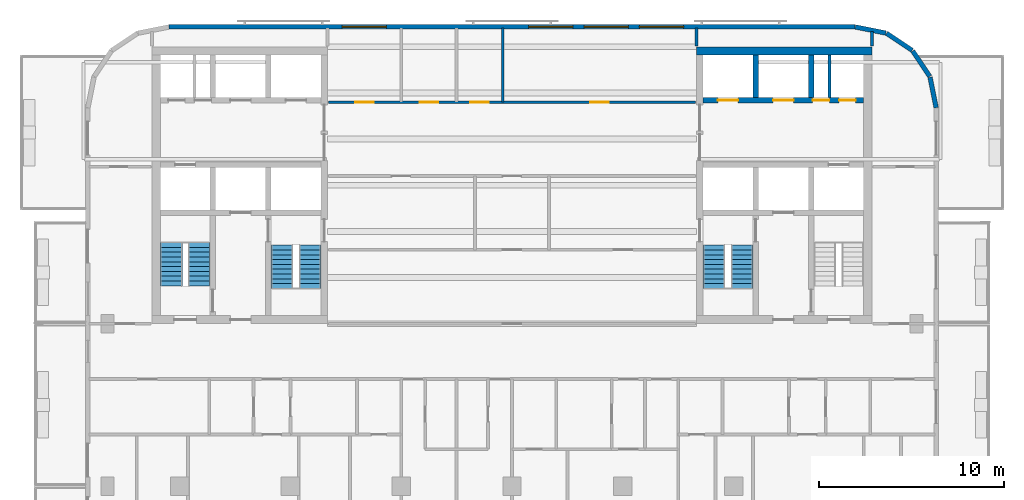
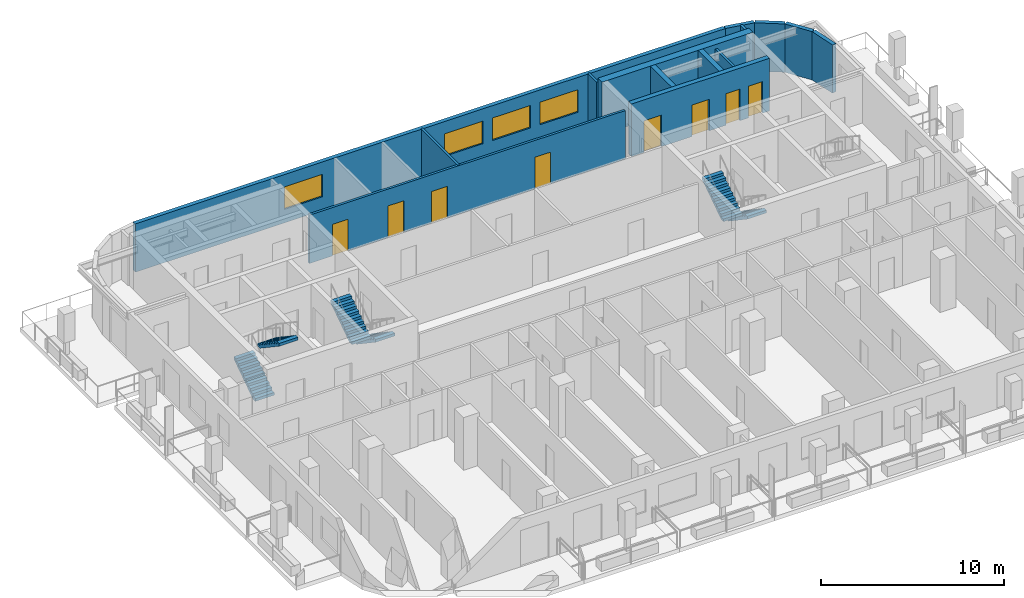
# One storey, part 7 of 11: 14 walls, 8 doors, 6 stair flights, 4 windows, 12 openings, 3 elements without a shape of their own.
"""IFC4 building model written with IfcOpenShell, lengths in metres."""

from ifc_helpers import new_model, si_unit, direction, frame, frame_2d, origin, place, context, subcontext, project, spatial, polyline, rectangle, outline, extrude, material, layer, layer_set, type_object, element, fill, aggregate, save


model = new_model("IFC4")

# Units and contexts
model_context = context("Model", 3, precision=1e-05, world=origin(), true_north=direction((0.0, 1.0)))
body_context = subcontext(model_context, "Body", "Model", "MODEL_VIEW")
ifc_project = project(units=[si_unit("LENGTHUNIT", "METRE"), si_unit("AREAUNIT", "SQUARE_METRE"), si_unit("VOLUMEUNIT", "CUBIC_METRE"), si_unit("PLANEANGLEUNIT", "RADIAN"), si_unit("MASSUNIT", "GRAM", prefix="KILO")], contexts=[model_context])

# Site, building, storey
site_placement = place(None, origin())
site = spatial("IfcSite", under=ifc_project, at=site_placement, CompositionType="ELEMENT")
building_placement = place(site_placement, origin())
building = spatial("IfcBuilding", under=site, at=building_placement, Name="Torana Hotel and Residences", CompositionType="ELEMENT")
storey_placement = place(building_placement, frame((0.0, 0.0, 294.60009765625)))
storey = spatial("IfcBuildingStorey", under=building, at=storey_placement, Name="L78", CompositionType="ELEMENT", Elevation=294.60009765625)

# Wall, openings, doors
ifc_material_1 = material(Name="Concrete C60/75", Category="concrete")
ifc_layer_1 = layer(ifc_material_1, 0.300048828125)
ifc_layer_set_1 = layer_set([ifc_layer_1], Name="CORE WALL 300 C60/75")
wall_type_1 = type_object("IfcWallType", Name="CORE WALL 300 C60/75", PredefinedType="SHEAR", material=ifc_layer_set_1)
wall_1_placement = place(storey_placement, frame((10.35009765625, -2.89990234375, 0.0), z_axis=(0.0, 0.0, 1.0), x_axis=(1.0, 0.0, 0.0)))
wall_1 = element("IfcWall", 1, at=wall_1_placement, inside=storey, type_object=wall_type_1, Name="Core wall E row-N", PredefinedType="SHEAR", context=body_context, shape_type="SweptSolid", body=[
    extrude(rectangle(XDim=8.699951171875, YDim=0.300048828125, at=frame_2d((4.35009765625, 0.0))), origin(), (0.0, 0.0, 1.0), 3.5),
])
opening_1_placement = place(wall_1_placement, frame((0.800048828125, 0.0, 0.0)))
opening_1 = element("IfcOpeningElement", 2, at=opening_1_placement, cuts=wall_1, Name="Opening LD", PredefinedType="OPENING", context=body_context, shape_type="SweptSolid", body=[
    extrude(rectangle(XDim=1.10009765625, YDim=2.10009765625, at=frame_2d((0.550048828125, 1.050048828125))), frame((0.0, 0.159912109375, 0.0), z_axis=(0.0, -1.0, 0.0), x_axis=(1.0, 0.0, 0.0)), (0.0, 0.0, 1.0), 0.320068359375),
])
opening_2_placement = place(wall_1_placement, frame((3.800048828125, 0.0, 0.0)))
opening_2 = element("IfcOpeningElement", 3, at=opening_2_placement, cuts=wall_1, Name="Opening LD", PredefinedType="OPENING", context=body_context, shape_type="SweptSolid", body=[
    extrude(rectangle(XDim=1.10009765625, YDim=2.10009765625, at=frame_2d((0.550048828125, 1.050048828125))), frame((0.0, 0.159912109375, 0.0), z_axis=(0.0, -1.0, 0.0), x_axis=(1.0, 0.0, 0.0)), (0.0, 0.0, 1.0), 0.320068359375),
])
opening_3_placement = place(wall_1_placement, frame((5.9375, 0.0, 0.0)))
opening_3 = element("IfcOpeningElement", 4, at=opening_3_placement, cuts=wall_1, Name="Opening L78-15", PredefinedType="OPENING", context=body_context, shape_type="SweptSolid", body=[
    extrude(rectangle(XDim=0.89990234375, YDim=2.10009765625, at=frame_2d((0.449951171875, 1.050048828125))), frame((0.0, 0.159912109375, 0.0), z_axis=(0.0, -1.0, 0.0), x_axis=(1.0, 0.0, 0.0)), (0.0, 0.0, 1.0), 0.320068359375),
])
opening_4_placement = place(wall_1_placement, frame((7.362548828125, 0.0, 0.0)))
opening_4 = element("IfcOpeningElement", 5, at=opening_4_placement, cuts=wall_1, Name="Opening L78-16", PredefinedType="OPENING", context=body_context, shape_type="SweptSolid", body=[
    extrude(rectangle(XDim=0.89990234375, YDim=2.10009765625, at=frame_2d((0.449951171875, 1.050048828125))), frame((0.0, 0.159912109375, 0.0), z_axis=(0.0, -1.0, 0.0), x_axis=(1.0, 0.0, 0.0)), (0.0, 0.0, 1.0), 0.320068359375),
])
ifc_material_2 = material(Name="Stainless steel 316", Category="steel")
door_type_1 = type_object("IfcDoorType", Name="LIFT LANDING DOOR LD 1100x2100", OperationType="DOUBLE_DOOR_SLIDING", PredefinedType="USERDEFINED", material=ifc_material_2)
door_1_placement = place(opening_1_placement, origin())
door_1 = element("IfcDoor", 6, at=door_1_placement, inside=storey, type_object=door_type_1, Name="Lift landing door H3 L78", ObjectType="LIFT LANDING DOOR", OperationType="DOUBLE_DOOR_SLIDING", OverallHeight=2.10009765625, OverallWidth=1.10009765625, PredefinedType="USERDEFINED", context=body_context, shape_type="SweptSolid", body=[
    extrude(rectangle(XDim=1.10009765625, YDim=2.10009765625, at=frame_2d((0.550048828125, 1.050048828125))), frame((0.0, 0.02490234375, 0.0), z_axis=(0.0, -1.0, 0.0), x_axis=(1.0, 0.0, 0.0)), (0.0, 0.0, 1.0), 0.050048828125),
])
fill(opening_1, door_1)
door_2_placement = place(opening_2_placement, origin())
door_2 = element("IfcDoor", 7, at=door_2_placement, inside=storey, type_object=door_type_1, Name="Lift landing door H4 L78", ObjectType="LIFT LANDING DOOR", OperationType="DOUBLE_DOOR_SLIDING", OverallHeight=2.10009765625, OverallWidth=1.10009765625, PredefinedType="USERDEFINED", context=body_context, shape_type="SweptSolid", body=[
    extrude(rectangle(XDim=1.10009765625, YDim=2.10009765625, at=frame_2d((0.550048828125, 1.050048828125))), frame((0.0, 0.02490234375, 0.0), z_axis=(0.0, -1.0, 0.0), x_axis=(1.0, 0.0, 0.0)), (0.0, 0.0, 1.0), 0.050048828125),
])
fill(opening_2, door_2)
ifc_material_3 = material(Name="Steel S235", Category="steel")
door_type_2 = type_object("IfcDoorType", Name="RISER ACCESS DOOR D5 900x2100", OperationType="SINGLE_SWING_LEFT", PredefinedType="DOOR", material=ifc_material_3)
door_3_placement = place(opening_3_placement, origin())
door_3 = element("IfcDoor", 8, at=door_3_placement, inside=storey, type_object=door_type_2, Name="N2A door L78", OperationType="SINGLE_SWING_RIGHT", OverallHeight=2.10009765625, OverallWidth=0.89990234375, PredefinedType="DOOR", context=body_context, shape_type="SweptSolid", body=[
    extrude(rectangle(XDim=0.89990234375, YDim=2.10009765625, at=frame_2d((0.449951171875, 1.050048828125))), frame((0.0, 0.02490234375, 0.0), z_axis=(0.0, -1.0, 0.0), x_axis=(1.0, 0.0, 0.0)), (0.0, 0.0, 1.0), 0.050048828125),
])
fill(opening_3, door_3)
door_4_placement = place(opening_4_placement, origin())
door_4 = element("IfcDoor", 9, at=door_4_placement, inside=storey, type_object=door_type_2, Name="N2B door L78", OperationType="SINGLE_SWING_RIGHT", OverallHeight=2.10009765625, OverallWidth=0.89990234375, PredefinedType="DOOR", context=body_context, shape_type="SweptSolid", body=[
    extrude(rectangle(XDim=0.89990234375, YDim=2.10009765625, at=frame_2d((0.449951171875, 1.050048828125))), frame((0.0, 0.02490234375, 0.0), z_axis=(0.0, -1.0, 0.0), x_axis=(1.0, 0.0, 0.0)), (0.0, 0.0, 1.0), 0.050048828125),
])
fill(opening_4, door_4)

# Walls
for number, where, z_axis, x_axis, name in (
    (10, (13.199951171875, -2.75, 0.0), (0.0, 0.0, 1.0), (0.0, 1.0, 0.0), "Core wall E x3.05-N"),
    (11, (16.199951171875, -2.75, 0.0), (0.0, 0.0, 1.0), (0.0, 1.0, 0.0), "Core wall E x6.05-N"),
):
    element("IfcWall", number, at=place(storey_placement, frame(where, z_axis=z_axis, x_axis=x_axis)), inside=storey, type_object=wall_type_1, Name=name, PredefinedType="SHEAR", context=body_context, shape_type="SweptSolid", body=[
        extrude(rectangle(XDim=2.300048828125, YDim=0.300048828125, at=frame_2d((1.14990234375, 0.0))), origin(), (0.0, 0.0, 1.0), 3.5),
    ])
ifc_material_4 = material(Name="Concrete C60/75", Category="concrete")
ifc_layer_2 = layer(ifc_material_4, 0.449951171875)
ifc_layer_set_2 = layer_set([ifc_layer_2], Name="CORE WALL 450 C60/75")
wall_type_2 = type_object("IfcWallType", Name="CORE WALL 450 C60/75", PredefinedType="SHEAR", material=ifc_layer_set_2)
wall_2_placement = place(storey_placement, frame((10.0, -0.22509765625, 0.0), z_axis=(0.0, 0.0, 1.0), x_axis=(1.0, 0.0, 0.0)))
element("IfcWall", 12, at=wall_2_placement, inside=storey, type_object=wall_type_2, Name="Core wall E rear", PredefinedType="SHEAR", context=body_context, shape_type="SweptSolid", body=[
    extrude(rectangle(XDim=9.5, YDim=0.449951171875, at=frame_2d((4.75, 0.0))), origin(), (0.0, 0.0, 1.0), 3.5),
])
ifc_material_5 = material(Name="Black aluminium composite panel", Category="aluminium")
ifc_layer_3 = layer(ifc_material_5, 0.00390625, Name="Cladding", Category="cladding")
ifc_material_6 = material(Name="Ventilated air cavity")
ifc_layer_4 = layer(ifc_material_6, 0.0400390625, Name="Ventilated cavity", Category="cavity")
ifc_material_7 = material(Name="Mineral wool insulation")
ifc_layer_5 = layer(ifc_material_7, 0.090087890625, Name="Insulation", Category="insulation")
ifc_material_8 = material(Name="Steel S280GD", Category="steel")
ifc_layer_6 = layer(ifc_material_8, 0.092041015625, Name="Steel stud frame", Category="structure")
ifc_material_9 = material(Name="Fire rated plasterboard")
ifc_layer_7 = layer(ifc_material_9, 0.011962890625, Name="Inner board", Category="finish")
ifc_layer_8 = layer(ifc_material_9, 0.011962890625, Name="Second board", Category="finish")
ifc_layer_set_3 = layer_set([ifc_layer_3, ifc_layer_4, ifc_layer_5, ifc_layer_6, ifc_layer_7, ifc_layer_8], Name="EW1 EXTERNAL WALL BLACK METAL CLAD 250")
wall_type_3 = type_object("IfcWallType", Name="EW1 EXTERNAL WALL BLACK METAL CLAD 250", PredefinedType="SOLIDWALL", material=ifc_layer_set_3)
wall_3_placement = place(storey_placement, frame((22.97265625, -3.30029296875, 0.0), z_axis=(0.0, 0.0, 1.0), x_axis=(-0.19513878023, 0.980775640221, 0.0)))
element("IfcWall", 13, at=wall_3_placement, inside=storey, type_object=wall_type_3, Name="External wall L78 e0.0", PredefinedType="SOLIDWALL", context=body_context, shape_type="SweptSolid", body=[
    extrude(rectangle(XDim=1.681396484375, YDim=0.25, at=frame_2d((0.8408203125, 0.0))), origin(), (0.0, 0.0, 1.0), 3.219970703125),
])
for number, where, z_axis, x_axis, name in (
    (14, (22.6259765625, -1.60595703125, 0.0), (0.0, 0.0, 1.0), (-0.55555029066, 0.831482937015, 0.0), "External wall L78 e0.1"),
    (15, (21.671142578125, -0.1943359375, 0.0), (0.0, 0.0, 1.0), (-0.831482937015, 0.55555029066, 0.0), "External wall L78 e0.2"),
):
    element("IfcWall", number, at=place(storey_placement, frame(where, z_axis=z_axis, x_axis=x_axis)), inside=storey, type_object=wall_type_3, Name=name, PredefinedType="SOLIDWALL", context=body_context, shape_type="SweptSolid", body=[
        extrude(rectangle(XDim=1.65625, YDim=0.25, at=frame_2d((0.828125, 0.0))), origin(), (0.0, 0.0, 1.0), 3.219970703125),
    ])
wall_4_placement = place(storey_placement, frame((20.248779296875, 0.74462890625, 0.0), z_axis=(0.0, 0.0, 1.0), x_axis=(-0.980797896849, 0.195026884138, 0.0)))
element("IfcWall", 16, at=wall_4_placement, inside=storey, type_object=wall_type_3, Name="External wall L78 e0.3", PredefinedType="SOLIDWALL", context=body_context, shape_type="SweptSolid", body=[
    extrude(rectangle(XDim=1.68115234375, YDim=0.25, at=frame_2d((0.840576171875, 0.0))), origin(), (0.0, 0.0, 1.0), 3.219970703125),
])

# Wall, openings, windows
ifc_material_10 = material(Name="Concrete C40/50 precast", Category="concrete")
ifc_layer_9 = layer(ifc_material_10, 0.10009765625, Name="Perforated block", Category="cladding")
ifc_material_11 = material(Name="Air cavity")
ifc_layer_10 = layer(ifc_material_11, 0.030029296875, Name="Cavity", Category="cavity")
ifc_material_12 = material(Name="Concrete C40/50", Category="concrete")
ifc_layer_11 = layer(ifc_material_12, 0.10009765625, Name="Wall", Category="structure")
ifc_material_13 = material(Name="Plaster and paint")
ifc_layer_12 = layer(ifc_material_13, 0.02001953125, Name="Inner finish", Category="finish")
ifc_layer_set_4 = layer_set([ifc_layer_9, ifc_layer_10, ifc_layer_11, ifc_layer_12], Name="EW2 PERFORATED BLOCK SCREEN WALL 250")
wall_type_4 = type_object("IfcWallType", Name="EW2 PERFORATED BLOCK SCREEN WALL 250", PredefinedType="SOLIDWALL", material=ifc_layer_set_4)
wall_5_placement = place(storey_placement, frame((18.575439453125, 1.074951171875, 0.0), z_axis=(0.0, 0.0, 1.0), x_axis=(-1.0, 0.0, 0.0)))
wall_5 = element("IfcWall", 17, at=wall_5_placement, inside=storey, type_object=wall_type_4, Name="External wall L78 e0.4", PredefinedType="SOLIDWALL", context=body_context, shape_type="SweptSolid", body=[
    extrude(rectangle(XDim=37.15087890625, YDim=0.25, at=frame_2d((18.575439453125, 0.0))), origin(), (0.0, 0.0, 1.0), 3.219970703125),
])
opening_5_placement = place(wall_5_placement, frame((9.275390625, 0.0, 0.89990234375)))
opening_5 = element("IfcOpeningElement", 18, at=opening_5_placement, cuts=wall_5, Name="Opening W3", PredefinedType="OPENING", context=body_context, shape_type="SweptSolid", body=[
    extrude(rectangle(XDim=2.39990234375, YDim=1.5, at=frame_2d((1.199951171875, 0.75))), frame((0.0, 0.135009765625, 0.0), z_axis=(0.0, -1.0, 0.0), x_axis=(1.0, 0.0, 0.0)), (0.0, 0.0, 1.0), 0.27001953125),
])
opening_6_placement = place(wall_5_placement, frame((12.275390625, 0.0, 0.89990234375)))
opening_6 = element("IfcOpeningElement", 19, at=opening_6_placement, cuts=wall_5, Name="Opening W3", PredefinedType="OPENING", context=body_context, shape_type="SweptSolid", body=[
    extrude(rectangle(XDim=2.39990234375, YDim=1.5, at=frame_2d((1.199951171875, 0.75))), frame((0.0, 0.135009765625, 0.0), z_axis=(0.0, -1.0, 0.0), x_axis=(1.0, 0.0, 0.0)), (0.0, 0.0, 1.0), 0.27001953125),
])
opening_7_placement = place(wall_5_placement, frame((15.275390625, 0.0, 0.89990234375)))
opening_7 = element("IfcOpeningElement", 20, at=opening_7_placement, cuts=wall_5, Name="Opening W3", PredefinedType="OPENING", context=body_context, shape_type="SweptSolid", body=[
    extrude(rectangle(XDim=2.39990234375, YDim=1.5, at=frame_2d((1.199951171875, 0.75))), frame((0.0, 0.135009765625, 0.0), z_axis=(0.0, -1.0, 0.0), x_axis=(1.0, 0.0, 0.0)), (0.0, 0.0, 1.0), 0.27001953125),
])
opening_8_placement = place(wall_5_placement, frame((25.37548828125, 0.0, 0.89990234375)))
opening_8 = element("IfcOpeningElement", 21, at=opening_8_placement, cuts=wall_5, Name="Opening W3", PredefinedType="OPENING", context=body_context, shape_type="SweptSolid", body=[
    extrude(rectangle(XDim=2.39990234375, YDim=1.5, at=frame_2d((1.199951171875, 0.75))), frame((0.0, 0.135009765625, 0.0), z_axis=(0.0, -1.0, 0.0), x_axis=(1.0, 0.0, 0.0)), (0.0, 0.0, 1.0), 0.27001953125),
])
ifc_material_14 = material(Name="Dark glass in black aluminium frame", Category="aluminium")
window_type = type_object("IfcWindowType", Name="W3 RESIDENCE WINDOW 2400x1500", PartitioningType="SINGLE_PANEL", PredefinedType="WINDOW", material=ifc_material_14)
window_1_placement = place(opening_5_placement, origin())
window_1 = element("IfcWindow", 22, at=window_1_placement, inside=storey, type_object=window_type, Name="Window L78", OverallHeight=1.5, OverallWidth=2.39990234375, PartitioningType="SINGLE_PANEL", PredefinedType="WINDOW", context=body_context, shape_type="SweptSolid", body=[
    extrude(rectangle(XDim=2.39990234375, YDim=1.5, at=frame_2d((1.199951171875, 0.75))), frame((0.0, 0.030029296875, 0.0), z_axis=(0.0, -1.0, 0.0), x_axis=(1.0, 0.0, 0.0)), (0.0, 0.0, 1.0), 0.06005859375),
])
fill(opening_5, window_1)
window_2_placement = place(opening_6_placement, origin())
window_2 = element("IfcWindow", 23, at=window_2_placement, inside=storey, type_object=window_type, Name="Window L78", OverallHeight=1.5, OverallWidth=2.39990234375, PartitioningType="SINGLE_PANEL", PredefinedType="WINDOW", context=body_context, shape_type="SweptSolid", body=[
    extrude(rectangle(XDim=2.39990234375, YDim=1.5, at=frame_2d((1.199951171875, 0.75))), frame((0.0, 0.030029296875, 0.0), z_axis=(0.0, -1.0, 0.0), x_axis=(1.0, 0.0, 0.0)), (0.0, 0.0, 1.0), 0.06005859375),
])
fill(opening_6, window_2)
window_3_placement = place(opening_7_placement, origin())
window_3 = element("IfcWindow", 24, at=window_3_placement, inside=storey, type_object=window_type, Name="Window L78", OverallHeight=1.5, OverallWidth=2.39990234375, PartitioningType="SINGLE_PANEL", PredefinedType="WINDOW", context=body_context, shape_type="SweptSolid", body=[
    extrude(rectangle(XDim=2.39990234375, YDim=1.5, at=frame_2d((1.199951171875, 0.75))), frame((0.0, 0.030029296875, 0.0), z_axis=(0.0, -1.0, 0.0), x_axis=(1.0, 0.0, 0.0)), (0.0, 0.0, 1.0), 0.06005859375),
])
fill(opening_7, window_3)
window_4_placement = place(opening_8_placement, origin())
window_4 = element("IfcWindow", 25, at=window_4_placement, inside=storey, type_object=window_type, Name="Window L78", OverallHeight=1.5, OverallWidth=2.39990234375, PartitioningType="SINGLE_PANEL", PredefinedType="WINDOW", context=body_context, shape_type="SweptSolid", body=[
    extrude(rectangle(XDim=2.39990234375, YDim=1.5, at=frame_2d((1.199951171875, 0.75))), frame((0.0, 0.030029296875, 0.0), z_axis=(0.0, -1.0, 0.0), x_axis=(1.0, 0.0, 0.0)), (0.0, 0.0, 1.0), 0.06005859375),
])
fill(opening_8, window_4)

# Wall
ifc_material_15 = material(Name="Gypsum plaster")
ifc_layer_13 = layer(ifc_material_15, 0.014892578125, Name="Plaster", Category="finish")
ifc_material_16 = material(Name="Concrete blockwork", Category="masonry")
ifc_layer_14 = layer(ifc_material_16, 0.1201171875, Name="Blockwork", Category="structure")
ifc_layer_15 = layer(ifc_material_15, 0.014892578125, Name="Plaster", Category="finish")
ifc_layer_set_5 = layer_set([ifc_layer_13, ifc_layer_14, ifc_layer_15], Name="FIRE PARTITION 150 BLOCKWORK")
wall_type_5 = type_object("IfcWallType", Name="FIRE PARTITION 150 BLOCKWORK", PredefinedType="PARTITIONING", material=ifc_layer_set_5)
wall_6_placement = place(storey_placement, frame((17.199951171875, -2.75, 0.0), z_axis=(0.0, 0.0, 1.0), x_axis=(0.0, 1.0, 0.0)))
element("IfcWall", 26, at=wall_6_placement, inside=storey, type_object=wall_type_5, Name="Core partition L78", PredefinedType="PARTITIONING", context=body_context, shape_type="SweptSolid", body=[
    extrude(rectangle(XDim=2.300048828125, YDim=0.14990234375, at=frame_2d((1.14990234375, 0.0))), origin(), (0.0, 0.0, 1.0), 3.199951171875),
])

# Wall, openings, doors
wall_7_placement = place(storey_placement, frame((-9.949951171875, -3.0, 0.0), z_axis=(0.0, 0.0, 1.0), x_axis=(1.0, 0.0, 0.0)))
wall_7 = element("IfcWall", 27, at=wall_7_placement, inside=storey, type_object=wall_type_5, Name="Partition L78", PredefinedType="PARTITIONING", context=body_context, shape_type="SweptSolid", body=[
    extrude(rectangle(XDim=19.89990234375, YDim=0.14990234375, at=frame_2d((9.949951171875, 0.0))), origin(), (0.0, 0.0, 1.0), 3.219970703125),
])
opening_9_placement = place(wall_7_placement, frame((1.449951171875, 0.0, 0.0)))
opening_9 = element("IfcOpeningElement", 28, at=opening_9_placement, cuts=wall_7, Name="Opening L78-34", PredefinedType="OPENING", context=body_context, shape_type="SweptSolid", body=[
    extrude(rectangle(XDim=1.0, YDim=2.10009765625, at=frame_2d((0.5, 1.050048828125))), frame((0.0, 0.0849609375, 0.0), z_axis=(0.0, -1.0, 0.0), x_axis=(1.0, 0.0, 0.0)), (0.0, 0.0, 1.0), 0.169921875),
])
opening_10_placement = place(wall_7_placement, frame((4.949951171875, 0.0, 0.0)))
opening_10 = element("IfcOpeningElement", 29, at=opening_10_placement, cuts=wall_7, Name="Opening L78-35", PredefinedType="OPENING", context=body_context, shape_type="SweptSolid", body=[
    extrude(rectangle(XDim=1.0, YDim=2.10009765625, at=frame_2d((0.5, 1.050048828125))), frame((0.0, 0.0849609375, 0.0), z_axis=(0.0, -1.0, 0.0), x_axis=(1.0, 0.0, 0.0)), (0.0, 0.0, 1.0), 0.169921875),
])
opening_11_placement = place(wall_7_placement, frame((7.699951171875, 0.0, 0.0)))
opening_11 = element("IfcOpeningElement", 30, at=opening_11_placement, cuts=wall_7, Name="Opening L78-36", PredefinedType="OPENING", context=body_context, shape_type="SweptSolid", body=[
    extrude(rectangle(XDim=1.0, YDim=2.10009765625, at=frame_2d((0.5, 1.050048828125))), frame((0.0, 0.0849609375, 0.0), z_axis=(0.0, -1.0, 0.0), x_axis=(1.0, 0.0, 0.0)), (0.0, 0.0, 1.0), 0.169921875),
])
opening_12_placement = place(wall_7_placement, frame((14.199951171875, 0.0, 0.0)))
opening_12 = element("IfcOpeningElement", 31, at=opening_12_placement, cuts=wall_7, Name="Opening L78-37", PredefinedType="OPENING", context=body_context, shape_type="SweptSolid", body=[
    extrude(rectangle(XDim=1.0, YDim=2.10009765625, at=frame_2d((0.5, 1.050048828125))), frame((0.0, 0.0849609375, 0.0), z_axis=(0.0, -1.0, 0.0), x_axis=(1.0, 0.0, 0.0)), (0.0, 0.0, 1.0), 0.169921875),
])
ifc_material_17 = material(Name="Steel S235", Category="steel")
door_type_3 = type_object("IfcDoorType", Name="ENTRY FIRE DOOR D6 1000x2100", OperationType="SINGLE_SWING_LEFT", PredefinedType="DOOR", material=ifc_material_17)
door_5_placement = place(opening_9_placement, origin())
door_5 = element("IfcDoor", 32, at=door_5_placement, inside=storey, type_object=door_type_3, Name="Door L78", OperationType="SINGLE_SWING_RIGHT", OverallHeight=2.10009765625, OverallWidth=1.0, PredefinedType="DOOR", context=body_context, shape_type="SweptSolid", body=[
    extrude(rectangle(XDim=1.0, YDim=2.10009765625, at=frame_2d((0.5, 1.050048828125))), frame((0.0, 0.02490234375, 0.0), z_axis=(0.0, -1.0, 0.0), x_axis=(1.0, 0.0, 0.0)), (0.0, 0.0, 1.0), 0.050048828125),
])
fill(opening_9, door_5)
door_6_placement = place(opening_10_placement, origin())
door_6 = element("IfcDoor", 33, at=door_6_placement, inside=storey, type_object=door_type_3, Name="Door L78", OperationType="SINGLE_SWING_RIGHT", OverallHeight=2.10009765625, OverallWidth=1.0, PredefinedType="DOOR", context=body_context, shape_type="SweptSolid", body=[
    extrude(rectangle(XDim=1.0, YDim=2.10009765625, at=frame_2d((0.5, 1.050048828125))), frame((0.0, 0.02490234375, 0.0), z_axis=(0.0, -1.0, 0.0), x_axis=(1.0, 0.0, 0.0)), (0.0, 0.0, 1.0), 0.050048828125),
])
fill(opening_10, door_6)
door_7_placement = place(opening_11_placement, origin())
door_7 = element("IfcDoor", 34, at=door_7_placement, inside=storey, type_object=door_type_3, Name="Door L78", OperationType="SINGLE_SWING_RIGHT", OverallHeight=2.10009765625, OverallWidth=1.0, PredefinedType="DOOR", context=body_context, shape_type="SweptSolid", body=[
    extrude(rectangle(XDim=1.0, YDim=2.10009765625, at=frame_2d((0.5, 1.050048828125))), frame((0.0, 0.02490234375, 0.0), z_axis=(0.0, -1.0, 0.0), x_axis=(1.0, 0.0, 0.0)), (0.0, 0.0, 1.0), 0.050048828125),
])
fill(opening_11, door_7)
door_8_placement = place(opening_12_placement, origin())
door_8 = element("IfcDoor", 35, at=door_8_placement, inside=storey, type_object=door_type_3, Name="Door L78", OperationType="SINGLE_SWING_RIGHT", OverallHeight=2.10009765625, OverallWidth=1.0, PredefinedType="DOOR", context=body_context, shape_type="SweptSolid", body=[
    extrude(rectangle(XDim=1.0, YDim=2.10009765625, at=frame_2d((0.5, 1.050048828125))), frame((0.0, 0.02490234375, 0.0), z_axis=(0.0, -1.0, 0.0), x_axis=(1.0, 0.0, 0.0)), (0.0, 0.0, 1.0), 0.050048828125),
])
fill(opening_12, door_8)

# Walls
ifc_material_18 = material(Name="Gypsum plasterboard")
ifc_layer_16 = layer(ifc_material_18, 0.012451171875, Name="Plasterboard", Category="finish")
ifc_layer_17 = layer(ifc_material_18, 0.012451171875, Name="Plasterboard", Category="finish")
ifc_layer_18 = layer(ifc_material_8, 0.10009765625, Name="Steel studs with mineral wool", Category="insulation")
ifc_layer_19 = layer(ifc_material_18, 0.012451171875, Name="Plasterboard", Category="finish")
ifc_layer_20 = layer(ifc_material_18, 0.012451171875, Name="Plasterboard", Category="finish")
ifc_layer_set_6 = layer_set([ifc_layer_16, ifc_layer_17, ifc_layer_18, ifc_layer_19, ifc_layer_20], Name="PARTITION 150 PLASTERBOARD")
wall_type_6 = type_object("IfcWallType", Name="PARTITION 150 PLASTERBOARD", PredefinedType="PARTITIONING", material=ifc_layer_set_6)
wall_8_placement = place(storey_placement, frame((19.5, 0.050048828125, 0.0), z_axis=(0.0, 0.0, 1.0), x_axis=(0.0, 1.0, 0.0)))
element("IfcWall", 36, at=wall_8_placement, inside=storey, type_object=wall_type_6, Name="Partition L78", PredefinedType="PARTITIONING", context=body_context, shape_type="SweptSolid", body=[
    extrude(rectangle(XDim=0.787353515625, YDim=0.14990234375, at=frame_2d((0.3935546875, 0.0))), origin(), (0.0, 0.0, 1.0), 3.219970703125),
])
wall_9_placement = place(storey_placement, frame((10.0, 0.050048828125, 0.0), z_axis=(0.0, 0.0, 1.0), x_axis=(0.0, 1.0, 0.0)))
element("IfcWall", 37, at=wall_9_placement, inside=storey, type_object=wall_type_6, Name="Partition L78", PredefinedType="PARTITIONING", context=body_context, shape_type="SweptSolid", body=[
    extrude(rectangle(XDim=0.969970703125, YDim=0.14990234375, at=frame_2d((0.48486328125, 0.0))), origin(), (0.0, 0.0, 1.0), 3.219970703125),
])
ifc_material_19 = material(Name="Ceramic tile on adhesive")
ifc_layer_21 = layer(ifc_material_19, 0.010009765625, Name="Wall tile", Category="finish")
ifc_material_20 = material(Name="Cement render")
ifc_layer_22 = layer(ifc_material_20, 0.010009765625, Name="Render", Category="finish")
ifc_layer_23 = layer(ifc_material_16, 0.110107421875, Name="Blockwork", Category="structure")
ifc_layer_24 = layer(ifc_material_20, 0.010009765625, Name="Render", Category="finish")
ifc_layer_25 = layer(ifc_material_19, 0.010009765625, Name="Wall tile", Category="finish")
ifc_layer_set_7 = layer_set([ifc_layer_21, ifc_layer_22, ifc_layer_23, ifc_layer_24, ifc_layer_25], Name="WC PARTITION 150")
wall_type_7 = type_object("IfcWallType", Name="WC PARTITION 150", PredefinedType="PLUMBINGWALL", material=ifc_layer_set_7)
wall_10_placement = place(storey_placement, frame((-0.5, -3.0, 0.0), z_axis=(0.0, 0.0, 1.0), x_axis=(0.0, 1.0, 0.0)))
element("IfcWall", 38, at=wall_10_placement, inside=storey, type_object=wall_type_7, Name="Partition L78", PredefinedType="PLUMBINGWALL", context=body_context, shape_type="SweptSolid", body=[
    extrude(rectangle(XDim=4.02001953125, YDim=0.14990234375, at=frame_2d((2.010009765625, 0.0))), origin(), (0.0, 0.0, 1.0), 3.219970703125),
])

# Stair, stair flights
ifc_material_21 = material(Name="Concrete C40/50 precast", Category="concrete")
stair_type_1 = type_object("IfcStairType", Name="STAIR ST1 HALF TURN 1200", PredefinedType="HALF_TURN_STAIR", material=ifc_material_21)
stair_1_placement = place(storey_placement, origin())
stair_1 = element("IfcStair", 39, at=stair_1_placement, inside=storey, type_object=stair_type_1, Name="Stair ST1 L78", PredefinedType="HALF_TURN_STAIR")
ifc_material_22 = material(Name="Concrete C40/50 precast", Category="concrete")
stair_flight_type = type_object("IfcStairFlightType", Name="STAIR FLIGHT 1200 PRECAST", PredefinedType="STRAIGHT", material=ifc_material_22)
stair_flight_1_placement = place(storey_placement, frame((-10.949951171875, -10.75, 0.0), z_axis=(0.0, 0.0, 1.0), x_axis=(0.0, -1.0, 0.0)))
stair_flight_1 = element("IfcStairFlight", 40, at=stair_flight_1_placement, type_object=stair_flight_type, Name="ST1 flight 1", NumberOfRisers=10, NumberOfTreads=9, PredefinedType="STRAIGHT", RiserHeight=0.175, TreadLength=0.26, context=body_context, shape_type="SweptSolid", body=[
    extrude(outline(polyline([(0.0, 0.0), (0.0, 0.175048828125), (0.260009765625, 0.175048828125), (0.260009765625, 0.35009765625), (0.52001953125, 0.35009765625), (0.52001953125, 0.52490234375), (0.780029296875, 0.52490234375), (0.780029296875, 0.699951171875), (1.0400390625, 0.699951171875), (1.0400390625, 0.875), (1.300048828125, 0.875), (1.300048828125, 1.050048828125), (1.56005859375, 1.050048828125), (1.56005859375, 1.22509765625), (1.820068359375, 1.22509765625), (1.820068359375, 1.39990234375), (2.080078125, 1.39990234375), (2.080078125, 1.574951171875), (2.340087890625, 1.574951171875), (2.340087890625, 1.75), (2.340087890625, 1.394287109375), (0.2685546875, 0.0), (0.0, 0.0)])), frame((0.0, 0.60009765625, 0.0), z_axis=(0.0, -1.0, 0.0), x_axis=(1.0, 0.0, 0.0)), (0.0, 0.0, 1.0), 1.199951171875),
])
stair_flight_2_placement = place(storey_placement, frame((-12.449951171875, -13.090087890625, 1.75), z_axis=(0.0, 0.0, 1.0), x_axis=(0.0, 1.0, 0.0)))
stair_flight_2 = element("IfcStairFlight", 41, at=stair_flight_2_placement, type_object=stair_flight_type, Name="ST1 flight 2", NumberOfRisers=10, NumberOfTreads=9, PredefinedType="STRAIGHT", RiserHeight=0.175, TreadLength=0.26, context=body_context, shape_type="SweptSolid", body=[
    extrude(outline(polyline([(0.0, 0.0), (0.0, 0.175048828125), (0.260009765625, 0.175048828125), (0.260009765625, 0.35009765625), (0.52001953125, 0.35009765625), (0.52001953125, 0.52490234375), (0.780029296875, 0.52490234375), (0.780029296875, 0.699951171875), (1.0400390625, 0.699951171875), (1.0400390625, 0.875), (1.300048828125, 0.875), (1.300048828125, 1.050048828125), (1.56005859375, 1.050048828125), (1.56005859375, 1.22509765625), (1.820068359375, 1.22509765625), (1.820068359375, 1.39990234375), (2.080078125, 1.39990234375), (2.080078125, 1.574951171875), (2.340087890625, 1.574951171875), (2.340087890625, 1.75), (2.340087890625, 1.394287109375), (0.2685546875, 0.0), (0.0, 0.0)])), frame((0.0, 0.60009765625, 0.0), z_axis=(0.0, -1.0, 0.0), x_axis=(1.0, 0.0, 0.0)), (0.0, 0.0, 1.0), 1.199951171875),
])
aggregate(stair_1, [stair_flight_1, stair_flight_2])

ifc_material_23 = material(Name="Concrete C40/50 precast", Category="concrete")
stair_type_2 = type_object("IfcStairType", Name="STAIR ST2 HALF TURN 1200", PredefinedType="HALF_TURN_STAIR", material=ifc_material_23)
stair_2_placement = place(storey_placement, origin())
stair_2 = element("IfcStair", 42, at=stair_2_placement, inside=storey, type_object=stair_type_2, Name="Stair ST2 L78", PredefinedType="HALF_TURN_STAIR")
stair_flight_3_placement = place(storey_placement, frame((-18.449951171875, -12.949951171875, 0.0), z_axis=(0.0, 0.0, 1.0), x_axis=(0.0, 1.0, 0.0)))
stair_flight_3 = element("IfcStairFlight", 43, at=stair_flight_3_placement, type_object=stair_flight_type, Name="ST2 flight 1", NumberOfRisers=10, NumberOfTreads=9, PredefinedType="STRAIGHT", RiserHeight=0.175, TreadLength=0.26, context=body_context, shape_type="SweptSolid", body=[
    extrude(outline(polyline([(0.0, 0.0), (0.0, 0.175048828125), (0.260009765625, 0.175048828125), (0.260009765625, 0.35009765625), (0.52001953125, 0.35009765625), (0.52001953125, 0.52490234375), (0.780029296875, 0.52490234375), (0.780029296875, 0.699951171875), (1.0400390625, 0.699951171875), (1.0400390625, 0.875), (1.300048828125, 0.875), (1.300048828125, 1.050048828125), (1.56005859375, 1.050048828125), (1.56005859375, 1.22509765625), (1.820068359375, 1.22509765625), (1.820068359375, 1.39990234375), (2.080078125, 1.39990234375), (2.080078125, 1.574951171875), (2.340087890625, 1.574951171875), (2.340087890625, 1.75), (2.340087890625, 1.394287109375), (0.2685546875, 0.0), (0.0, 0.0)])), frame((0.0, 0.60009765625, 0.0), z_axis=(0.0, -1.0, 0.0), x_axis=(1.0, 0.0, 0.0)), (0.0, 0.0, 1.0), 1.199951171875),
])
stair_flight_4_placement = place(storey_placement, frame((-16.949951171875, -10.610107421875, 1.75), z_axis=(0.0, 0.0, 1.0), x_axis=(0.0, -1.0, 0.0)))
stair_flight_4 = element("IfcStairFlight", 44, at=stair_flight_4_placement, type_object=stair_flight_type, Name="ST2 flight 2", NumberOfRisers=10, NumberOfTreads=9, PredefinedType="STRAIGHT", RiserHeight=0.175, TreadLength=0.26, context=body_context, shape_type="SweptSolid", body=[
    extrude(outline(polyline([(0.0, 0.0), (0.0, 0.175048828125), (0.260009765625, 0.175048828125), (0.260009765625, 0.35009765625), (0.52001953125, 0.35009765625), (0.52001953125, 0.52490234375), (0.780029296875, 0.52490234375), (0.780029296875, 0.699951171875), (1.0400390625, 0.699951171875), (1.0400390625, 0.875), (1.300048828125, 0.875), (1.300048828125, 1.050048828125), (1.56005859375, 1.050048828125), (1.56005859375, 1.22509765625), (1.820068359375, 1.22509765625), (1.820068359375, 1.39990234375), (2.080078125, 1.39990234375), (2.080078125, 1.574951171875), (2.340087890625, 1.574951171875), (2.340087890625, 1.75), (2.340087890625, 1.394287109375), (0.2685546875, 0.0), (0.0, 0.0)])), frame((0.0, 0.60009765625, 0.0), z_axis=(0.0, -1.0, 0.0), x_axis=(1.0, 0.0, 0.0)), (0.0, 0.0, 1.0), 1.199951171875),
])
aggregate(stair_2, [stair_flight_3, stair_flight_4])

ifc_material_24 = material(Name="Concrete C40/50 precast", Category="concrete")
stair_type_3 = type_object("IfcStairType", Name="STAIR ST3 HALF TURN 1200", PredefinedType="HALF_TURN_STAIR", material=ifc_material_24)
stair_3_placement = place(storey_placement, origin())
stair_3 = element("IfcStair", 45, at=stair_3_placement, inside=storey, type_object=stair_type_3, Name="Stair ST3 L78", PredefinedType="HALF_TURN_STAIR")
stair_flight_5_placement = place(storey_placement, frame((12.449951171875, -10.75, 0.0), z_axis=(0.0, 0.0, 1.0), x_axis=(0.0, -1.0, 0.0)))
stair_flight_5 = element("IfcStairFlight", 46, at=stair_flight_5_placement, type_object=stair_flight_type, Name="ST3 flight 1", NumberOfRisers=10, NumberOfTreads=9, PredefinedType="STRAIGHT", RiserHeight=0.175, TreadLength=0.26, context=body_context, shape_type="SweptSolid", body=[
    extrude(outline(polyline([(0.0, 0.0), (0.0, 0.175048828125), (0.260009765625, 0.175048828125), (0.260009765625, 0.35009765625), (0.52001953125, 0.35009765625), (0.52001953125, 0.52490234375), (0.780029296875, 0.52490234375), (0.780029296875, 0.699951171875), (1.0400390625, 0.699951171875), (1.0400390625, 0.875), (1.300048828125, 0.875), (1.300048828125, 1.050048828125), (1.56005859375, 1.050048828125), (1.56005859375, 1.22509765625), (1.820068359375, 1.22509765625), (1.820068359375, 1.39990234375), (2.080078125, 1.39990234375), (2.080078125, 1.574951171875), (2.340087890625, 1.574951171875), (2.340087890625, 1.75), (2.340087890625, 1.394287109375), (0.2685546875, 0.0), (0.0, 0.0)])), frame((0.0, 0.60009765625, 0.0), z_axis=(0.0, -1.0, 0.0), x_axis=(1.0, 0.0, 0.0)), (0.0, 0.0, 1.0), 1.199951171875),
])
stair_flight_6_placement = place(storey_placement, frame((10.949951171875, -13.090087890625, 1.75), z_axis=(0.0, 0.0, 1.0), x_axis=(0.0, 1.0, 0.0)))
stair_flight_6 = element("IfcStairFlight", 47, at=stair_flight_6_placement, type_object=stair_flight_type, Name="ST3 flight 2", NumberOfRisers=10, NumberOfTreads=9, PredefinedType="STRAIGHT", RiserHeight=0.175, TreadLength=0.26, context=body_context, shape_type="SweptSolid", body=[
    extrude(outline(polyline([(0.0, 0.0), (0.0, 0.175048828125), (0.260009765625, 0.175048828125), (0.260009765625, 0.35009765625), (0.52001953125, 0.35009765625), (0.52001953125, 0.52490234375), (0.780029296875, 0.52490234375), (0.780029296875, 0.699951171875), (1.0400390625, 0.699951171875), (1.0400390625, 0.875), (1.300048828125, 0.875), (1.300048828125, 1.050048828125), (1.56005859375, 1.050048828125), (1.56005859375, 1.22509765625), (1.820068359375, 1.22509765625), (1.820068359375, 1.39990234375), (2.080078125, 1.39990234375), (2.080078125, 1.574951171875), (2.340087890625, 1.574951171875), (2.340087890625, 1.75), (2.340087890625, 1.394287109375), (0.2685546875, 0.0), (0.0, 0.0)])), frame((0.0, 0.60009765625, 0.0), z_axis=(0.0, -1.0, 0.0), x_axis=(1.0, 0.0, 0.0)), (0.0, 0.0, 1.0), 1.199951171875),
])
aggregate(stair_3, [stair_flight_5, stair_flight_6])

save(model, "model.ifc")
